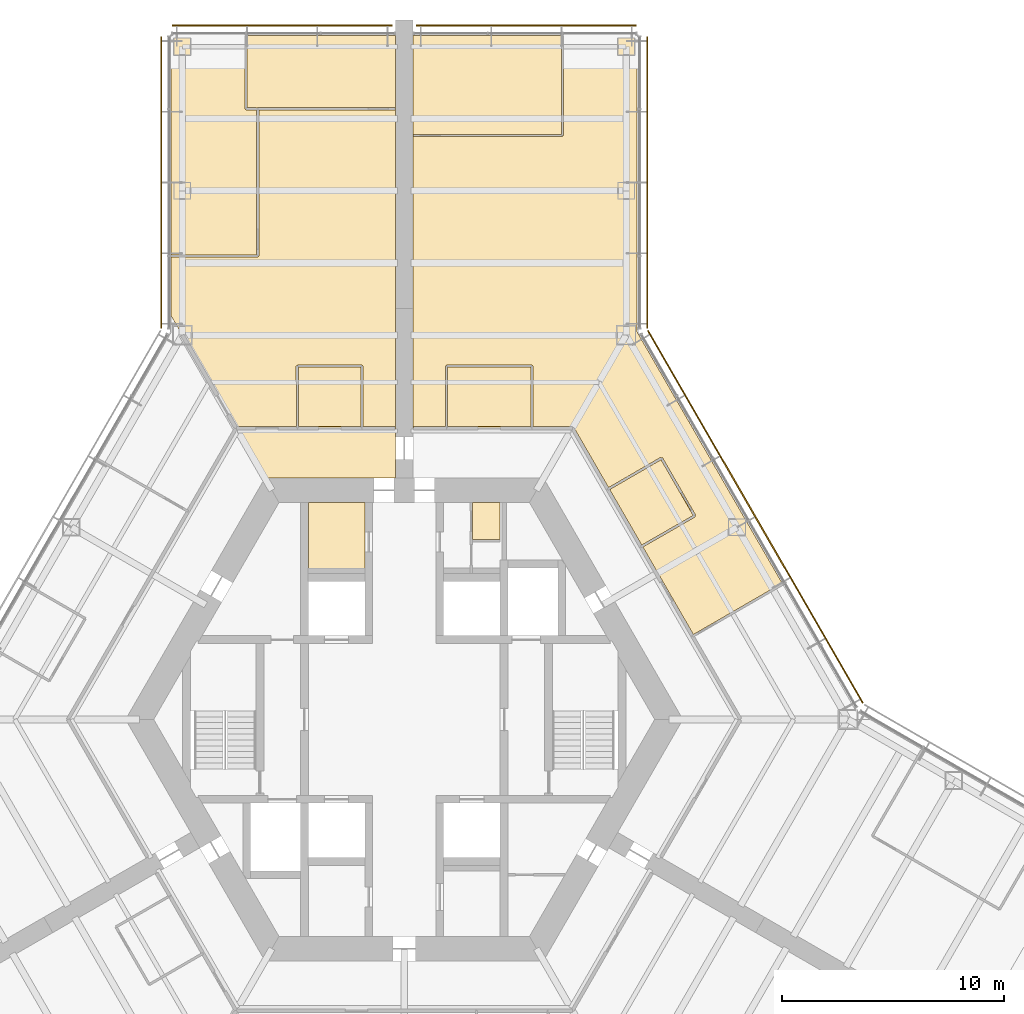
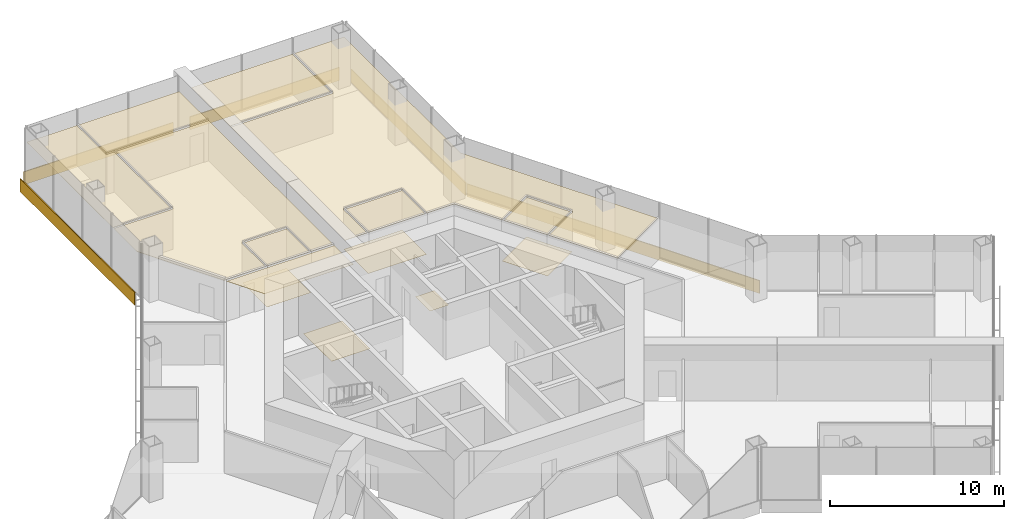
# One storey, part 18 of 18: 14 coverings, 5 shading devices.
"""IFC4 building model written with IfcOpenShell, lengths in metres."""

from ifc_helpers import new_model, si_unit, direction, frame, origin, origin_2d, place, context, subcontext, project, spatial, polyline, rectangle, outline, extrude, material, layer, layer_set, type_object, element, save


model = new_model("IFC4")

# Units and contexts
model_context = context("Model", 3, precision=1e-05, world=origin(), true_north=direction((0.0, 1.0)))
body_context = subcontext(model_context, "Body", "Model", "MODEL_VIEW")
ifc_project = project(units=[si_unit("LENGTHUNIT", "METRE"), si_unit("AREAUNIT", "SQUARE_METRE"), si_unit("VOLUMEUNIT", "CUBIC_METRE"), si_unit("PLANEANGLEUNIT", "RADIAN"), si_unit("MASSUNIT", "GRAM", prefix="KILO")], contexts=[model_context])

# Site, building, storey
site_placement = place(None, origin())
site = spatial("IfcSite", under=ifc_project, at=site_placement, CompositionType="ELEMENT")
building_placement = place(site_placement, origin())
building = spatial("IfcBuilding", under=site, at=building_placement, Name="Kasaneha Research Tower", CompositionType="ELEMENT")
storey_placement = place(building_placement, frame((0.0, 0.0, 108.0)))
storey = spatial("IfcBuildingStorey", under=building, at=storey_placement, Name="L27", CompositionType="ELEMENT", Elevation=108.0)

# Coverings
ifc_material_1 = material(Name="Gypsum ceiling board", Category="gypsum")
ifc_layer_1 = layer(ifc_material_1, 0.02001953125)
ifc_layer_set_1 = layer_set([ifc_layer_1], Name="Suspended ceiling 20")
covering_type_1 = type_object("IfcCoveringType", Name="Suspended ceiling 20", PredefinedType="CEILING", material=ifc_layer_set_1)
covering_1_placement = place(storey_placement, frame((0.0, 0.0, 2.800048828125)))
element("IfcCovering", 1, at=covering_1_placement, inside=storey, type_object=covering_type_1, Name="Ceiling L27-26", PredefinedType="CEILING", context=body_context, shape_type="SweptSolid", body=[
    extrude(outline(polyline([(1.954345703125, 13.199951171875), (1.9501953125, 15.875), (5.70703125, 15.875), (5.70263671875, 13.199951171875), (1.954345703125, 13.199951171875)])), origin(), (0.0, 0.0, 1.0), 0.02001953125),
])
covering_2_placement = place(storey_placement, frame((0.0, 0.0, 2.800048828125)))
element("IfcCovering", 2, at=covering_2_placement, inside=storey, type_object=covering_type_1, Name="Ceiling L27-27", PredefinedType="CEILING", context=body_context, shape_type="SweptSolid", body=[
    extrude(outline(polyline([(11.5732421875, 11.70458984375), (13.023193359375, 9.193359375), (10.704345703125, 7.859619140625), (9.2587890625, 10.363525390625), (11.5732421875, 11.70458984375)])), origin(), (0.0, 0.0, 1.0), 0.02001953125),
])
covering_3_placement = place(storey_placement, frame((0.0, 0.0, 2.800048828125)))
element("IfcCovering", 3, at=covering_3_placement, inside=storey, type_object=covering_type_1, Name="Ceiling L27-29", PredefinedType="CEILING", context=body_context, shape_type="SweptSolid", body=[
    extrude(outline(polyline([(7.13330078125, 30.820556640625), (7.13330078125, 30.800537109375), (7.083251953125, 30.800537109375), (7.083251953125, 26.37060546875), (0.419921875, 26.37060546875), (0.419921875, 26.320556640625), (0.39990234375, 26.320556640625), (0.39990234375, 30.820556640625), (7.13330078125, 30.820556640625)])), origin(), (0.0, 0.0, 1.0), 0.02001953125),
])
covering_4_placement = place(storey_placement, frame((0.0, 0.0, 2.800048828125)))
element("IfcCovering", 4, at=covering_4_placement, inside=storey, type_object=covering_type_1, Name="Ceiling L27-30", PredefinedType="CEILING", context=body_context, shape_type="SweptSolid", body=[
    extrude(outline(polyline([(13.092041015625, 9.1748046875), (13.091796875, 9.175048828125), (13.134765625, 9.199951171875), (11.634765625, 11.798095703125), (11.591796875, 11.773193359375), (11.591796875, 11.773193359375), (11.591552734375, 11.77294921875), (11.56640625, 11.816162109375), (9.208740234375, 10.449951171875), (7.642578125, 13.16259765625), (7.578125, 13.125244140625), (7.578125, 13.12548828125), (7.57763671875, 13.12548828125), (7.57763671875, 13.199951171875), (5.802734375, 13.199951171875), (5.806884765625, 15.9248046875), (5.757080078125, 15.925048828125), (5.757080078125, 15.925537109375), (5.757080078125, 15.925537109375), (5.757080078125, 15.97509765625), (1.89990234375, 15.97509765625), (1.89990234375, 15.925537109375), (1.899658203125, 15.925537109375), (1.899658203125, 15.925048828125), (1.85009765625, 15.9248046875), (1.8544921875, 13.199951171875), (0.419921875, 13.199951171875), (0.419921875, 13.12548828125), (0.39990234375, 13.12548828125), (0.39990234375, 26.320068359375), (0.419921875, 26.320068359375), (0.419921875, 26.2705078125), (7.13330078125, 26.2705078125), (7.13330078125, 26.320068359375), (7.133544921875, 26.320068359375), (7.133544921875, 26.320556640625), (7.183349609375, 26.320556640625), (7.183349609375, 30.800537109375), (7.1337890625, 30.800537109375), (7.1337890625, 30.820556640625), (10.5, 30.820556640625), (10.5, 17.45458984375), (17.055908203125, 6.09912109375), (17.055908203125, 6.09912109375), (17.03125, 6.14208984375), (13.031982421875, 3.828125), (10.75439453125, 7.77294921875), (13.116455078125, 9.131591796875), (13.091552734375, 9.174560546875), (13.092041015625, 9.1748046875)])), origin(), (0.0, 0.0, 1.0), 0.02001953125),
])
covering_5_placement = place(storey_placement, frame((0.0, 0.0, 2.800048828125)))
element("IfcCovering", 5, at=covering_5_placement, inside=storey, type_object=covering_type_1, Name="Ceiling L27-31", PredefinedType="CEILING", context=body_context, shape_type="SweptSolid", body=[
    extrude(outline(polyline([(-0.39990234375, 11.72509765625), (-0.39990234375, 10.875), (-6.278564453125, 10.875), (-7.534423828125, 13.050048828125), (-4.822021484375, 13.050048828125), (-4.8125, 13.050048828125), (-1.904541015625, 13.050048828125), (-1.89501953125, 13.050048828125), (-0.419921875, 13.050048828125), (-0.419921875, 13.125), (-0.39990234375, 13.125), (-0.39990234375, 12.72509765625), (-0.39990234375, 11.72509765625)])), origin(), (0.0, 0.0, 1.0), 0.02001953125),
])
covering_6_placement = place(storey_placement, frame((0.0, 0.0, 2.800048828125)))
element("IfcCovering", 6, at=covering_6_placement, inside=storey, type_object=covering_type_1, Name="Ceiling L27-32", PredefinedType="CEILING", context=body_context, shape_type="SweptSolid", body=[
    extrude(outline(polyline([(-4.7626953125, 13.199951171875), (-4.766845703125, 15.875), (-1.9501953125, 15.875), (-1.954345703125, 13.199951171875), (-4.7626953125, 13.199951171875)])), origin(), (0.0, 0.0, 1.0), 0.02001953125),
])
covering_7_placement = place(storey_placement, frame((0.0, 0.0, 2.800048828125)))
element("IfcCovering", 7, at=covering_7_placement, inside=storey, type_object=covering_type_1, Name="Ceiling L27-33", PredefinedType="CEILING", context=body_context, shape_type="SweptSolid", body=[
    extrude(outline(polyline([(-7.1337890625, 30.821044921875), (-7.1337890625, 30.800537109375), (-7.18359375, 30.800537109375), (-7.183349609375, 27.5205078125), (-7.13330078125, 27.5205078125), (-7.1337890625, 27.470458984375), (-6.654052734375, 27.466064453125), (-6.650146484375, 20.941162109375), (-10.5, 20.941162109375), (-10.5, 20.89111328125), (-10.50048828125, 30.820556640625), (-7.1337890625, 30.821044921875)])), origin(), (0.0, 0.0, 1.0), 0.02001953125),
])
covering_8_placement = place(storey_placement, frame((0.0, 0.0, 2.800048828125)))
element("IfcCovering", 8, at=covering_8_placement, inside=storey, type_object=covering_type_1, Name="Ceiling L27-34", PredefinedType="CEILING", context=body_context, shape_type="SweptSolid", body=[
    extrude(outline(polyline([(-0.39990234375, 27.5205078125), (-0.419921875, 27.5205078125), (-0.419921875, 27.570556640625), (-6.60400390625, 27.570556640625), (-6.60400390625, 27.5654296875), (-7.083251953125, 27.570068359375), (-7.083740234375, 30.800537109375), (-7.13330078125, 30.800537109375), (-7.13330078125, 30.820556640625), (-0.39990234375, 30.820556640625), (-0.39990234375, 27.5205078125)])), origin(), (0.0, 0.0, 1.0), 0.02001953125),
])
covering_9_placement = place(storey_placement, frame((0.0, 0.0, 2.800048828125)))
element("IfcCovering", 9, at=covering_9_placement, inside=storey, type_object=covering_type_1, Name="Ceiling L27-35", PredefinedType="CEILING", context=body_context, shape_type="SweptSolid", body=[
    extrude(outline(polyline([(-1.89990234375, 15.92529296875), (-1.89990234375, 15.97509765625), (-4.81689453125, 15.97509765625), (-4.81689453125, 15.925537109375), (-4.81689453125, 15.925048828125), (-4.866943359375, 15.9248046875), (-4.862548828125, 13.199951171875), (-7.5546875, 13.199951171875), (-7.5546875, 13.12548828125), (-7.577880859375, 13.12548828125), (-10.5, 18.1865234375), (-10.5, 20.841064453125), (-6.60009765625, 20.841064453125), (-6.60009765625, 20.890869140625), (-6.599609375, 20.890869140625), (-6.599609375, 20.89111328125), (-6.550048828125, 20.89111328125), (-6.553955078125, 27.470458984375), (-0.419921875, 27.470458984375), (-0.419921875, 27.52001953125), (-0.39990234375, 27.52001953125), (-0.39990234375, 13.12548828125), (-0.419921875, 13.12548828125), (-0.419921875, 13.199951171875), (-1.8544921875, 13.199951171875), (-1.85009765625, 15.9248046875), (-1.899658203125, 15.925048828125), (-1.899658203125, 15.92529296875), (-1.89990234375, 15.92529296875)])), origin(), (0.0, 0.0, 1.0), 0.02001953125),
])

# Shading devices
ifc_material_2 = material(Name="Terracotta", Category="masonry")
ifc_layer_2 = layer(ifc_material_2, 0.06005859375)
ifc_layer_set_2 = layer_set([ifc_layer_2], Name="Terracotta baguette screen")
shading_device_type = type_object("IfcShadingDeviceType", Name="Terracotta baguette screen", PredefinedType="USERDEFINED", material=ifc_layer_set_2)
shading_device_1_placement = place(storey_placement, frame((15.82275390625, 9.13525390625, -0.449951171875), z_axis=(0.0, 0.0, 1.0), x_axis=(-0.49999996188, 0.866025425793, 0.0)))
element("IfcShadingDevice", 10, at=shading_device_1_placement, inside=storey, type_object=shading_device_type, Name="Baguette screen L27 07", ObjectType="TERRACOTTA BAGUETTE SCREEN", PredefinedType="USERDEFINED", context=body_context, shape_type="SweptSolid", body=[
    extrude(rectangle(XDim=19.37841796875, YDim=0.06005859375, at=origin_2d()), origin(), (0.0, 0.0, 1.0), 0.89990234375),
])
shading_device_2_placement = place(storey_placement, frame((10.949951171875, 24.200927734375, -0.449951171875), z_axis=(0.0, 0.0, 1.0), x_axis=(0.0, 1.0, 0.0)))
element("IfcShadingDevice", 11, at=shading_device_2_placement, inside=storey, type_object=shading_device_type, Name="Baguette screen L27 08", ObjectType="TERRACOTTA BAGUETTE SCREEN", PredefinedType="USERDEFINED", context=body_context, shape_type="SweptSolid", body=[
    extrude(rectangle(XDim=13.13916015625, YDim=0.06005859375, at=origin_2d()), origin(), (0.0, 0.0, 1.0), 0.89990234375),
])
for number, where, z_axis, x_axis, name in (
    (12, (5.5, 31.2705078125, -0.449951171875), (0.0, 0.0, 1.0), (-1.0, 0.0, 0.0), "Baguette screen L27 09"),
    (13, (-5.5, 31.2705078125, -0.449951171875), (0.0, 0.0, 1.0), (-1.0, 0.0, 0.0), "Baguette screen L27 10"),
):
    element("IfcShadingDevice", number, at=place(storey_placement, frame(where, z_axis=z_axis, x_axis=x_axis)), inside=storey, type_object=shading_device_type, Name=name, ObjectType="TERRACOTTA BAGUETTE SCREEN", PredefinedType="USERDEFINED", context=body_context, shape_type="SweptSolid", body=[
        extrude(rectangle(XDim=9.89990234375, YDim=0.06005859375, at=origin_2d()), origin(), (0.0, 0.0, 1.0), 0.89990234375),
    ])
shading_device_3_placement = place(storey_placement, frame((-10.949951171875, 24.200927734375, -0.449951171875), z_axis=(0.0, 0.0, 1.0), x_axis=(0.0, -1.0, 0.0)))
element("IfcShadingDevice", 14, at=shading_device_3_placement, inside=storey, type_object=shading_device_type, Name="Baguette screen L27 11", ObjectType="TERRACOTTA BAGUETTE SCREEN", PredefinedType="USERDEFINED", context=body_context, shape_type="SweptSolid", body=[
    extrude(rectangle(XDim=13.13916015625, YDim=0.06005859375, at=origin_2d()), origin(), (0.0, 0.0, 1.0), 0.89990234375),
])

# Coverings
ifc_material_3 = material(Name="Vinyl sheet flooring", Category="plastic")
ifc_layer_3 = layer(ifc_material_3, 0.0048828125)
ifc_layer_set_3 = layer_set([ifc_layer_3], Name="Wet room sheet flooring 5")
covering_type_2 = type_object("IfcCoveringType", Name="Wet room sheet flooring 5", PredefinedType="FLOORING", material=ifc_layer_set_3)
covering_10_placement = place(storey_placement, origin())
element("IfcCovering", 15, at=covering_10_placement, inside=storey, type_object=covering_type_2, Name="Floor finish L27-06", PredefinedType="FLOORING", context=body_context, shape_type="SweptSolid", body=[
    extrude(outline(polyline([(-1.77490234375, 9.77490234375), (-1.77490234375, 6.574951171875), (-4.324951171875, 6.574951171875), (-4.324951171875, 9.77490234375), (-1.77490234375, 9.77490234375)])), origin(), (0.0, 0.0, 1.0), 0.0048828125),
])
covering_11_placement = place(storey_placement, origin())
element("IfcCovering", 16, at=covering_11_placement, inside=storey, type_object=covering_type_2, Name="Floor finish L27-08", PredefinedType="FLOORING", context=body_context, shape_type="SweptSolid", body=[
    extrude(outline(polyline([(4.324951171875, 8.10009765625), (3.074951171875, 8.10009765625), (3.074951171875, 9.77490234375), (4.324951171875, 9.77490234375), (4.324951171875, 8.10009765625)])), origin(), (0.0, 0.0, 1.0), 0.0048828125),
])
covering_12_placement = place(storey_placement, origin())
element("IfcCovering", 17, at=covering_12_placement, inside=storey, type_object=covering_type_2, Name="Floor finish L27-26", PredefinedType="FLOORING", context=body_context, shape_type="SweptSolid", body=[
    extrude(outline(polyline([(1.89990234375, 15.925048828125), (5.757080078125, 15.925048828125), (5.757080078125, 13.125), (1.89990234375, 13.125), (1.89990234375, 15.925048828125)])), origin(), (0.0, 0.0, 1.0), 0.0048828125),
])
covering_13_placement = place(storey_placement, origin())
element("IfcCovering", 18, at=covering_13_placement, inside=storey, type_object=covering_type_2, Name="Floor finish L27-27", PredefinedType="FLOORING", context=body_context, shape_type="SweptSolid", body=[
    extrude(outline(polyline([(11.591552734375, 11.77294921875), (13.091552734375, 9.175048828125), (10.66650390625, 7.77490234375), (9.16650390625, 10.373046875), (11.591552734375, 11.77294921875)])), origin(), (0.0, 0.0, 1.0), 0.0048828125),
])
covering_14_placement = place(storey_placement, origin())
element("IfcCovering", 19, at=covering_14_placement, inside=storey, type_object=covering_type_2, Name="Floor finish L27-32", PredefinedType="FLOORING", context=body_context, shape_type="SweptSolid", body=[
    extrude(outline(polyline([(-4.81689453125, 15.925048828125), (-1.89990234375, 15.925048828125), (-1.89990234375, 13.125), (-4.81689453125, 13.125), (-4.81689453125, 15.925048828125)])), origin(), (0.0, 0.0, 1.0), 0.0048828125),
])

save(model, "model.ifc")
